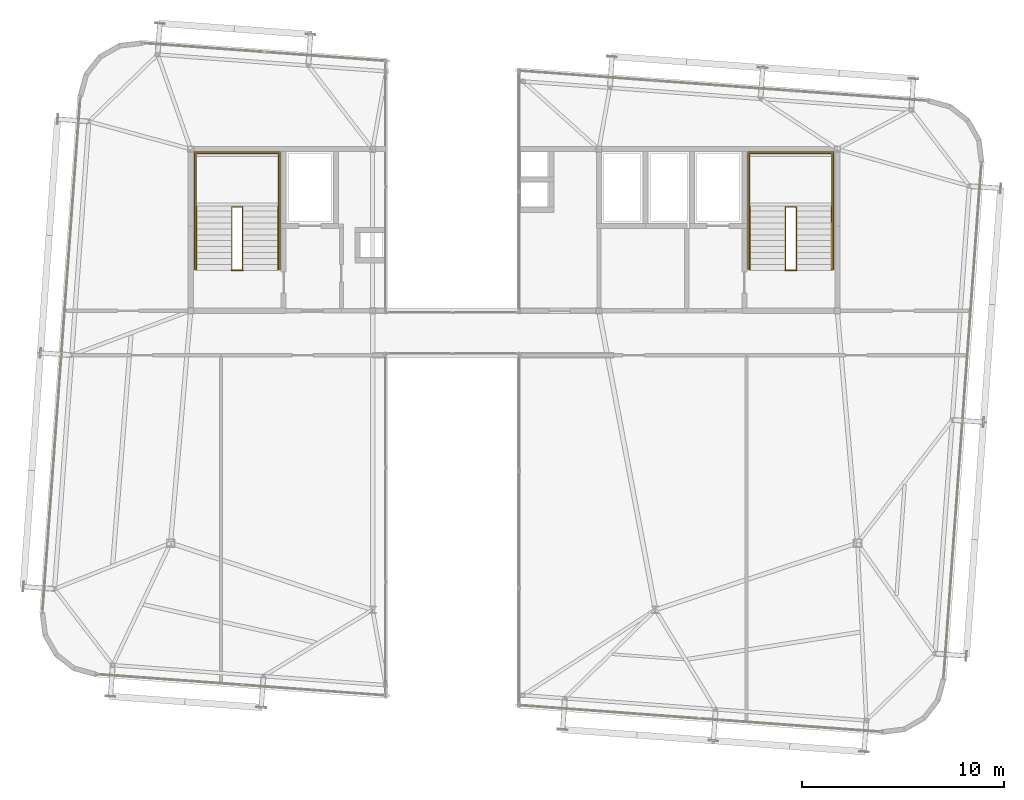
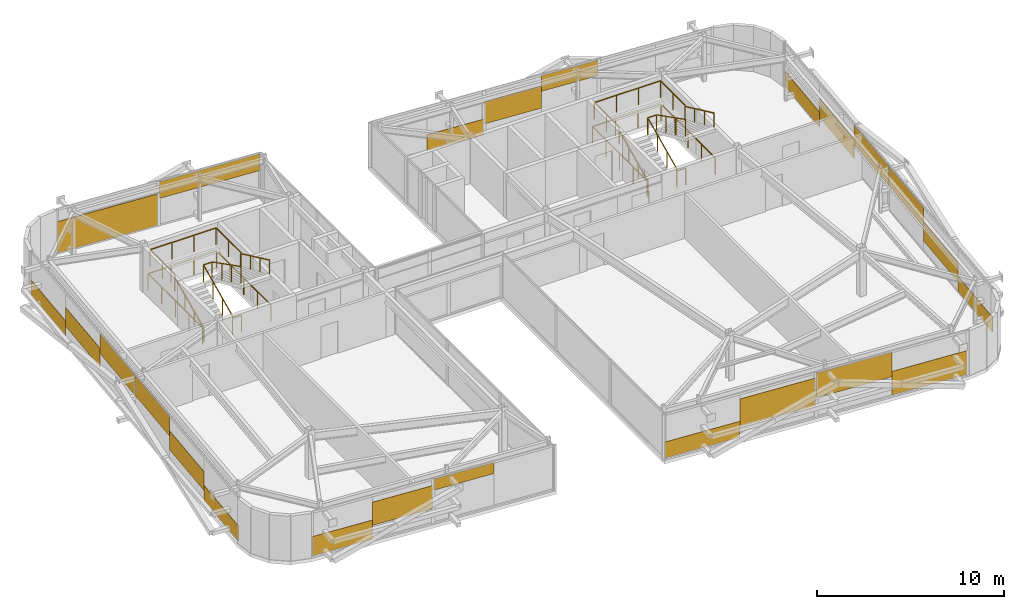
# One storey, part 38 of 39: 24 coverings, 12 railings.
"""IFC4 building model written with IfcOpenShell, lengths in metres."""

import ifcopenshell
import ifcopenshell.guid

model = None  # the IFC model being written
_history = None  # IfcOwnerHistory: only IFC2X3 demands one
_inside = {}  # id of a spatial element -> (the spatial element, [elements in it])
_under = {}  # id of a project, library or spatial element -> (it, [spatial elements below it])
_declared = {}  # id of a project -> (the project, [libraries it declares])
_typed = {}  # id of a type object -> (the type object, [elements of that type])
_made_of = {}  # id of a material, layer set ... -> (it, [elements and type objects made of it])


def new_model(schema):
    """Start an empty IFC model of exactly this schema.

    Asked for "IFC4X3", IfcOpenShell would pick the latest addendum, in which some entities
    have other attributes; the version numbers below select the first issue.
    IFC2X3 requires an IfcOwnerHistory on every rooted entity: one is made here for all.
    """
    global model, _history
    if schema == "IFC4X3":
        model = ifcopenshell.file(schema_version=(4, 3, 0, 0))
    else:
        model = ifcopenshell.file(schema=schema)
    _inside.clear()
    _under.clear()
    _declared.clear()
    _typed.clear()
    _made_of.clear()
    _history = None
    if model.schema == "IFC2X3":
        org = make("IfcOrganization", Name="unknown")
        user = make(
            "IfcPersonAndOrganization",
            ThePerson=make("IfcPerson", FamilyName="unknown"),
            TheOrganization=org,
        )
        app = make(
            "IfcApplication",
            ApplicationDeveloper=org,
            Version="unknown",
            ApplicationFullName="unknown",
            ApplicationIdentifier="unknown",
        )
        _history = make(
            "IfcOwnerHistory",
            OwningUser=user,
            OwningApplication=app,
            ChangeAction="ADDED",
            CreationDate=0,
        )
    return model


def make(cls, **values):
    """One entity of the class cls with the attributes given. An attribute that is None is left unset."""
    return model.create_entity(
        cls, **{name: value for name, value in values.items() if value is not None}
    )


def rooted(cls, **values):
    """An entity with a GlobalId (a new one), such as an element, a storey or a relation."""
    return make(cls, GlobalId=ifcopenshell.guid.new(), OwnerHistory=_history, **values)


def si_unit(unit_type, name, prefix=None):
    """IfcSIUnit, for example si_unit("LENGTHUNIT", "METRE", prefix="MILLI")."""
    return make("IfcSIUnit", UnitType=unit_type, Prefix=prefix, Name=name)


def assignment(units):
    """IfcUnitAssignment: the units of a project."""
    return None if units is None else make("IfcUnitAssignment", Units=units)


def point(xyz):
    """IfcCartesianPoint."""
    return None if xyz is None else make("IfcCartesianPoint", Coordinates=xyz)


def direction(xyz):
    """IfcDirection."""
    return None if xyz is None else make("IfcDirection", DirectionRatios=xyz)


def frame(location, z_axis=None, x_axis=None):
    """IfcAxis2Placement3D, a coordinate frame: its origin and axes. An axis left out is left unset."""
    return make(
        "IfcAxis2Placement3D",
        Location=point(location),
        Axis=direction(z_axis),
        RefDirection=direction(x_axis),
    )


def frame_2d(location, x_axis=None):
    """IfcAxis2Placement2D, a coordinate frame in the plane: its origin and x axis."""
    return make(
        "IfcAxis2Placement2D", Location=point(location), RefDirection=direction(x_axis)
    )


def origin():
    """The frame at (0, 0, 0) with its axes left unset."""
    return frame((0.0, 0.0, 0.0))


def origin_2d():
    """The frame at (0, 0) in the plane with its x axis left unset."""
    return frame_2d((0.0, 0.0))


def place(relative_to, where):
    """IfcLocalPlacement: puts the frame where relative to a parent placement (None: the world)."""
    return make(
        "IfcLocalPlacement", PlacementRelTo=relative_to, RelativePlacement=where
    )


def context(
    kind, dimensions, precision=None, world=None, true_north=None, identifier=None
):
    """IfcGeometricRepresentationContext, for example the 3D "Model" context."""
    return make(
        "IfcGeometricRepresentationContext",
        ContextIdentifier=identifier,
        ContextType=kind,
        CoordinateSpaceDimension=dimensions,
        Precision=precision,
        WorldCoordinateSystem=world,
        TrueNorth=true_north,
    )


def subcontext(parent, identifier, kind, view, scale=None):
    """IfcGeometricRepresentationSubContext, for example "Body" below "Model"."""
    return make(
        "IfcGeometricRepresentationSubContext",
        ContextIdentifier=identifier,
        ContextType=kind,
        ParentContext=parent,
        TargetScale=scale,
        TargetView=view,
    )


def project(units=None, contexts=None):
    """IfcProject with its units and contexts."""
    return rooted(
        "IfcProject",
        Name="project",
        RepresentationContexts=contexts,
        UnitsInContext=assignment(units),
    )


def spatial(cls, under=None, at=None, **own):
    """A site, building, storey or space (cls), placed at a placement, below another one or the project."""
    s = rooted(cls, ObjectPlacement=at, **own)
    if under is not None:
        _under.setdefault(under.id(), (under, []))[1].append(s)
    return s


def profile(cls, at=None, kind="AREA", **sizes):
    """A parametric profile (cls). Its sizes go by their IFC names, for example OverallWidth=200.0."""
    return make(cls, ProfileType=kind, Position=at, **sizes)


def rectangle(**sizes):
    """IfcRectangleProfileDef."""
    return profile("IfcRectangleProfileDef", **sizes)


def extrude(swept, where, along, depth):
    """IfcExtrudedAreaSolid: the profile swept, set in the frame where, extruded along a direction by depth."""
    return make(
        "IfcExtrudedAreaSolid",
        SweptArea=swept,
        Position=where,
        ExtrudedDirection=direction(along),
        Depth=depth,
    )


def shape(context_of_items, identifier, shape_type, items):
    """IfcShapeRepresentation: the items that make up one representation, for example the "Body"."""
    return make(
        "IfcShapeRepresentation",
        ContextOfItems=context_of_items,
        RepresentationIdentifier=identifier,
        RepresentationType=shape_type,
        Items=items,
    )


def source(mapping_origin, context_of_items, identifier, shape_type, items):
    """IfcRepresentationMap: a shape defined once, which mapped items show again and again."""
    return make(
        "IfcRepresentationMap",
        MappingOrigin=mapping_origin,
        MappedRepresentation=shape(context_of_items, identifier, shape_type, items),
    )


def transform(
    local_origin,
    x_axis=None,
    y_axis=None,
    z_axis=None,
    scale=None,
    scale2=None,
    scale3=None,
    uniform=True,
):
    """IfcCartesianTransformationOperator3D, or its non-uniform kind. x_axis, y_axis, z_axis: its Axis1, 2, 3."""
    if uniform:
        return make(
            "IfcCartesianTransformationOperator3D",
            Axis1=direction(x_axis),
            Axis2=direction(y_axis),
            LocalOrigin=point(local_origin),
            Scale=scale,
            Axis3=direction(z_axis),
        )
    return make(
        "IfcCartesianTransformationOperator3DnonUniform",
        Axis1=direction(x_axis),
        Axis2=direction(y_axis),
        LocalOrigin=point(local_origin),
        Scale=scale,
        Axis3=direction(z_axis),
        Scale2=scale2,
        Scale3=scale3,
    )


def mapped(mapping_source, mapping_target):
    """IfcMappedItem: shows the shape of a source again, moved by a transform."""
    return make(
        "IfcMappedItem", MappingSource=mapping_source, MappingTarget=mapping_target
    )


def material(Name=None, Category=None):
    """IfcMaterial."""
    return make("IfcMaterial", Name=Name, Category=Category)


def layer(
    of_material, thickness, ventilated=None, Name=None, Category=None, Priority=None
):
    """IfcMaterialLayer: one layer of a wall or slab, of a material (None: an air gap)."""
    return make(
        "IfcMaterialLayer",
        Material=of_material,
        LayerThickness=thickness,
        IsVentilated=ventilated,
        Name=Name,
        Category=Category,
        Priority=Priority,
    )


def layer_set(layers, Name=None):
    """IfcMaterialLayerSet."""
    return make("IfcMaterialLayerSet", MaterialLayers=layers, LayerSetName=Name)


def made_of(thing, what):
    """Note that an element or type object is made of a material, layer set ...; save() writes the relation."""
    if what is not None:
        _made_of.setdefault(what.id(), (what, []))[1].append(thing)
    return thing


def type_object(cls, material=None, **own):
    """A type object (cls), such as IfcWallType, which elements share."""
    return made_of(rooted(cls, **own), material)


def element(
    cls,
    number,
    at=None,
    inside=None,
    cuts=None,
    type_object=None,
    material=None,
    context=None,
    identifier="Body",
    shape_type=None,
    held_by="IfcProductDefinitionShape",
    body=None,
    shapes=None,
    **own,
):
    """One element of the class cls, such as IfcWall. Its Tag is "e" and its number.

    at: its placement. inside: the storey or other place that contains it. cuts: it is an
    opening in that element (IfcRelVoidsElement). A single representation is given by context,
    identifier, shape_type and body (its items); several are given by shapes. held_by: the class
    of the entity that holds the representations. save() writes the other relations.
    """
    e = rooted(cls, Tag="e%d" % number, ObjectPlacement=at, **own)
    if body is not None:
        shapes = [shape(context, identifier, shape_type, body)]
    if shapes is not None:
        e.Representation = make(held_by, Representations=shapes)
    if inside is not None:
        _inside.setdefault(inside.id(), (inside, []))[1].append(e)
    if cuts is not None:
        rooted(
            "IfcRelVoidsElement", RelatingBuildingElement=cuts, RelatedOpeningElement=e
        )
    if type_object is not None:
        _typed.setdefault(type_object.id(), (type_object, []))[1].append(e)
    return made_of(e, material)


def aggregate(whole, parts):
    """IfcRelAggregates: a whole, such as a stair, and the parts it consists of."""
    return rooted("IfcRelAggregates", RelatingObject=whole, RelatedObjects=parts)


def save(model, path):
    """Write the relations noted so far, then the file.

    IfcRelAggregates (storeys below a building ...), IfcRelContainedInSpatialStructure (elements
    in a storey), IfcRelDefinesByType, IfcRelAssociatesMaterial and IfcRelDeclares: one each for
    every whole, place, type object, material and project.
    """
    for whole, parts in _under.values():
        aggregate(whole, parts)
    for where, things in _inside.values():
        rooted(
            "IfcRelContainedInSpatialStructure",
            RelatedElements=things,
            RelatingStructure=where,
        )
    for kind, things in _typed.values():
        rooted("IfcRelDefinesByType", RelatedObjects=things, RelatingType=kind)
    for what, things in _made_of.values():
        rooted("IfcRelAssociatesMaterial", RelatedObjects=things, RelatingMaterial=what)
    for by, libraries in _declared.values():
        rooted("IfcRelDeclares", RelatingContext=by, RelatedDefinitions=libraries)
    model.write(path)


model = new_model("IFC4")

# Units and contexts
model_context = context("Model", 3, precision=1e-05, world=origin(), true_north=direction((0.0, 1.0)))
body_context = subcontext(model_context, "Body", "Model", "MODEL_VIEW")
ifc_project = project(units=[si_unit("LENGTHUNIT", "METRE"), si_unit("AREAUNIT", "SQUARE_METRE"), si_unit("VOLUMEUNIT", "CUBIC_METRE"), si_unit("PLANEANGLEUNIT", "RADIAN"), si_unit("MASSUNIT", "GRAM", prefix="KILO")], contexts=[model_context])

# Site, building, storey
site_placement = place(None, origin())
site = spatial("IfcSite", under=ifc_project, at=site_placement, CompositionType="ELEMENT")
building_placement = place(site_placement, origin())
building = spatial("IfcBuilding", under=site, at=building_placement, Name="Taldren Reach Tower", CompositionType="ELEMENT")
storey_placement = place(building_placement, frame((0.0, 0.0, 230.300048828125)))
storey = spatial("IfcBuildingStorey", under=building, at=storey_placement, Name="L70", CompositionType="ELEMENT", Elevation=230.300048828125)

# Railings
ifc_material_1 = material(Name="Steel Gr 350 (C350L0)", Category="steel")
ifc_layer_1 = layer(ifc_material_1, 0.050048828125)
ifc_layer_set_1 = layer_set([ifc_layer_1], Name="Steel Gr 350 (C350L0)")
railing_type_1 = type_object("IfcRailingType", Name="RL-STAIR-GR", PredefinedType="GUARDRAIL", material=ifc_layer_set_1)
railing_1_placement = place(storey_placement, frame((19.260009765625, 29.135009765625, 1.574951171875)))
element("IfcRailing", 1, at=railing_1_placement, inside=storey, type_object=railing_type_1, Name="Stair half-landing perimeter guard ST1-L70", PredefinedType="GUARDRAIL", context=body_context, shape_type="SweptSolid", body=[
    extrude(rectangle(XDim=0.047852, YDim=0.047852, at=origin_2d()), frame((0.0, 0.0, 1.09619140625), z_axis=(0.0, 1.0, 0.0), x_axis=(-1.0, 0.0, 0.0)), (0.0, 0.0, 1.0), 2.64501953125),
    extrude(rectangle(XDim=0.047852, YDim=0.047852, at=origin_2d()), frame((0.0, 2.64501953125, 1.09619140625), z_axis=(1.0, 0.0, 0.0), x_axis=(0.0, 1.0, 0.0)), (0.0, 0.0, 1.0), 4.080078125),
    extrude(rectangle(XDim=0.047852, YDim=0.047852, at=origin_2d()), frame((4.080078125, 2.64501953125, 1.09619140625), z_axis=(0.0, -1.0, 0.0), x_axis=(1.0, 0.0, 0.0)), (0.0, 0.0, 1.0), 2.64501953125),
    extrude(rectangle(XDim=0.041992, YDim=0.041992, at=origin_2d()), origin(), (0.0, 0.0, 1.0), 1.072021484375),
    extrude(rectangle(XDim=0.041992, YDim=0.041992, at=origin_2d()), frame((0.0, 1.322509765625, 0.0)), (0.0, 0.0, 1.0), 1.072021484375),
    extrude(rectangle(XDim=0.041992, YDim=0.041992, at=origin_2d()), frame((0.0, 2.64501953125, 0.0)), (0.0, 0.0, 1.0), 1.072021484375),
    extrude(rectangle(XDim=0.041992, YDim=0.041992, at=origin_2d()), frame((1.360107421875, 2.64501953125, 0.0)), (0.0, 0.0, 1.0), 1.072021484375),
    extrude(rectangle(XDim=0.041992, YDim=0.041992, at=origin_2d()), frame((2.719970703125, 2.64501953125, 0.0)), (0.0, 0.0, 1.0), 1.072021484375),
    extrude(rectangle(XDim=0.041992, YDim=0.041992, at=origin_2d()), frame((4.080078125, 2.64501953125, 0.0)), (0.0, 0.0, 1.0), 1.072021484375),
    extrude(rectangle(XDim=0.041992, YDim=0.041992, at=origin_2d()), frame((4.080078125, 1.322509765625, 0.0)), (0.0, 0.0, 1.0), 1.072021484375),
    extrude(rectangle(XDim=0.041992, YDim=0.041992, at=origin_2d()), frame((4.080078125, 0.0, 0.0)), (0.0, 0.0, 1.0), 1.072021484375),
])
railing_2_placement = place(storey_placement, frame((21.030029296875, 26.050048828125, 0.13134765625)))
element("IfcRailing", 2, at=railing_2_placement, inside=storey, type_object=railing_type_1, Name="Stairwell inner guard ST1-L70", PredefinedType="GUARDRAIL", context=body_context, shape_type="SweptSolid", body=[
    extrude(rectangle(XDim=0.047852, YDim=0.047852, at=origin_2d()), frame((0.0, 0.0, 1.09619140625), z_axis=(0.0, 0.905737652094, 0.423838773095), x_axis=(-1.0, 0.0, 0.0)), (0.0, 0.0, 1.0), 3.406005859375),
    extrude(rectangle(XDim=0.047852, YDim=0.047852, at=origin_2d()), frame((0.0, 3.0849609375, 2.53955078125), z_axis=(1.0, 0.0, 0.0), x_axis=(0.0, 1.0, 0.0)), (0.0, 0.0, 1.0), 0.5400390625),
    extrude(rectangle(XDim=0.047852, YDim=0.047852, at=origin_2d()), frame((0.5400390625, 3.0849609375, 2.53955078125), z_axis=(0.0, -0.890645957773, 0.45469745755), x_axis=(1.0, 0.0, 0.0)), (0.0, 0.0, 1.0), 3.463623046875),
    extrude(rectangle(XDim=0.041992, YDim=0.041992, at=origin_2d()), origin(), (0.0, 0.0, 1.0), 1.072021484375),
    extrude(rectangle(XDim=0.041992, YDim=0.041992, at=origin_2d()), frame((0.0, 1.0283203125, 0.481201171875)), (0.0, 0.0, 1.0), 1.072021484375),
    extrude(rectangle(XDim=0.041992, YDim=0.041992, at=origin_2d()), frame((0.0, 2.056640625, 0.96240234375)), (0.0, 0.0, 1.0), 1.072021484375),
    extrude(rectangle(XDim=0.041992, YDim=0.041992, at=origin_2d()), frame((0.0, 3.0849609375, 1.443603515625)), (0.0, 0.0, 1.0), 1.072021484375),
    extrude(rectangle(XDim=0.041992, YDim=0.041992, at=origin_2d()), frame((0.5400390625, 3.0849609375, 1.443603515625)), (0.0, 0.0, 1.0), 1.072021484375),
    extrude(rectangle(XDim=0.041992, YDim=0.041992, at=origin_2d()), frame((0.5400390625, 2.056640625, 1.968505859375)), (0.0, 0.0, 1.0), 1.072021484375),
    extrude(rectangle(XDim=0.041992, YDim=0.041992, at=origin_2d()), frame((0.5400390625, 1.0283203125, 2.49365234375)), (0.0, 0.0, 1.0), 1.072021484375),
    extrude(rectangle(XDim=0.041992, YDim=0.041992, at=origin_2d()), frame((0.5400390625, 0.0, 3.0185546875)), (0.0, 0.0, 1.0), 1.072021484375),
])
railing_3_placement = place(storey_placement, frame((21.030029296875, 26.010009765625, 0.0)))
element("IfcRailing", 3, at=railing_3_placement, inside=storey, type_object=railing_type_1, Name="Stairwell landing slot guard ST1-L70", PredefinedType="GUARDRAIL", context=body_context, shape_type="SweptSolid", body=[
    extrude(rectangle(XDim=0.047852, YDim=0.047852, at=origin_2d()), frame((0.0, 0.0, 1.09619140625), z_axis=(1.0, 0.0, 0.0), x_axis=(0.0, 1.0, 0.0)), (0.0, 0.0, 1.0), 0.5400390625),
    extrude(rectangle(XDim=0.041992, YDim=0.041992, at=origin_2d()), origin(), (0.0, 0.0, 1.0), 1.072021484375),
    extrude(rectangle(XDim=0.041992, YDim=0.041992, at=origin_2d()), frame((0.5400390625, 0.0, 0.0)), (0.0, 0.0, 1.0), 1.072021484375),
])
railing_4_placement = place(storey_placement, frame((19.18994140625, 26.050048828125, 0.0)))
element("IfcRailing", 4, at=railing_4_placement, inside=storey, type_object=railing_type_1, Name="Stairwell floor opening guard ST1-L70", PredefinedType="GUARDRAIL", context=body_context, shape_type="SweptSolid", body=[
    extrude(rectangle(XDim=0.047852, YDim=0.047852, at=origin_2d()), frame((0.0, 0.0, 1.09619140625), z_axis=(0.0, 1.0, 0.0), x_axis=(-1.0, 0.0, 0.0)), (0.0, 0.0, 1.0), 5.800048828125),
    extrude(rectangle(XDim=0.047852, YDim=0.047852, at=origin_2d()), frame((0.0, 5.800048828125, 1.09619140625), z_axis=(1.0, 0.0, 0.0), x_axis=(0.0, 1.0, 0.0)), (0.0, 0.0, 1.0), 4.219970703125),
    extrude(rectangle(XDim=0.047852, YDim=0.047852, at=origin_2d()), frame((4.219970703125, 5.800048828125, 1.09619140625), z_axis=(0.0, -1.0, 0.0), x_axis=(1.0, 0.0, 0.0)), (0.0, 0.0, 1.0), 5.800048828125),
    extrude(rectangle(XDim=0.041992, YDim=0.041992, at=origin_2d()), origin(), (0.0, 0.0, 1.0), 1.072021484375),
    extrude(rectangle(XDim=0.041992, YDim=0.041992, at=origin_2d()), frame((0.0, 1.449951171875, 0.0)), (0.0, 0.0, 1.0), 1.072021484375),
    extrude(rectangle(XDim=0.041992, YDim=0.041992, at=origin_2d()), frame((0.0, 2.89990234375, 0.0)), (0.0, 0.0, 1.0), 1.072021484375),
    extrude(rectangle(XDim=0.041992, YDim=0.041992, at=origin_2d()), frame((0.0, 4.35009765625, 0.0)), (0.0, 0.0, 1.0), 1.072021484375),
    extrude(rectangle(XDim=0.041992, YDim=0.041992, at=origin_2d()), frame((0.0, 5.800048828125, 0.0)), (0.0, 0.0, 1.0), 1.072021484375),
    extrude(rectangle(XDim=0.041992, YDim=0.041992, at=origin_2d()), frame((1.40673828125, 5.800048828125, 0.0)), (0.0, 0.0, 1.0), 1.072021484375),
    extrude(rectangle(XDim=0.041992, YDim=0.041992, at=origin_2d()), frame((2.813232421875, 5.800048828125, 0.0)), (0.0, 0.0, 1.0), 1.072021484375),
    extrude(rectangle(XDim=0.041992, YDim=0.041992, at=origin_2d()), frame((4.219970703125, 5.800048828125, 0.0)), (0.0, 0.0, 1.0), 1.072021484375),
    extrude(rectangle(XDim=0.041992, YDim=0.041992, at=origin_2d()), frame((4.219970703125, 4.35009765625, 0.0)), (0.0, 0.0, 1.0), 1.072021484375),
    extrude(rectangle(XDim=0.041992, YDim=0.041992, at=origin_2d()), frame((4.219970703125, 2.89990234375, 0.0)), (0.0, 0.0, 1.0), 1.072021484375),
    extrude(rectangle(XDim=0.041992, YDim=0.041992, at=origin_2d()), frame((4.219970703125, 1.449951171875, 0.0)), (0.0, 0.0, 1.0), 1.072021484375),
    extrude(rectangle(XDim=0.041992, YDim=0.041992, at=origin_2d()), frame((4.219970703125, 0.0, 0.0)), (0.0, 0.0, 1.0), 1.072021484375),
])
railing_5_placement = place(storey_placement, frame((46.659912109375, 29.135009765625, 1.574951171875)))
element("IfcRailing", 5, at=railing_5_placement, inside=storey, type_object=railing_type_1, Name="Stair half-landing perimeter guard ST2-L70", PredefinedType="GUARDRAIL", context=body_context, shape_type="SweptSolid", body=[
    extrude(rectangle(XDim=0.047852, YDim=0.047852, at=origin_2d()), frame((0.0, 0.0, 1.09619140625), z_axis=(0.0, 1.0, 0.0), x_axis=(-1.0, 0.0, 0.0)), (0.0, 0.0, 1.0), 2.64501953125),
    extrude(rectangle(XDim=0.047852, YDim=0.047852, at=origin_2d()), frame((0.0, 2.64501953125, 1.09619140625), z_axis=(1.0, 0.0, 0.0), x_axis=(0.0, 1.0, 0.0)), (0.0, 0.0, 1.0), 4.080078125),
    extrude(rectangle(XDim=0.047852, YDim=0.047852, at=origin_2d()), frame((4.080078125, 2.64501953125, 1.09619140625), z_axis=(0.0, -1.0, 0.0), x_axis=(1.0, 0.0, 0.0)), (0.0, 0.0, 1.0), 2.64501953125),
    extrude(rectangle(XDim=0.041992, YDim=0.041992, at=origin_2d()), origin(), (0.0, 0.0, 1.0), 1.072021484375),
    extrude(rectangle(XDim=0.041992, YDim=0.041992, at=origin_2d()), frame((0.0, 1.322509765625, 0.0)), (0.0, 0.0, 1.0), 1.072021484375),
    extrude(rectangle(XDim=0.041992, YDim=0.041992, at=origin_2d()), frame((0.0, 2.64501953125, 0.0)), (0.0, 0.0, 1.0), 1.072021484375),
    extrude(rectangle(XDim=0.041992, YDim=0.041992, at=origin_2d()), frame((1.360107421875, 2.64501953125, 0.0)), (0.0, 0.0, 1.0), 1.072021484375),
    extrude(rectangle(XDim=0.041992, YDim=0.041992, at=origin_2d()), frame((2.719970703125, 2.64501953125, 0.0)), (0.0, 0.0, 1.0), 1.072021484375),
    extrude(rectangle(XDim=0.041992, YDim=0.041992, at=origin_2d()), frame((4.080078125, 2.64501953125, 0.0)), (0.0, 0.0, 1.0), 1.072021484375),
    extrude(rectangle(XDim=0.041992, YDim=0.041992, at=origin_2d()), frame((4.080078125, 1.322509765625, 0.0)), (0.0, 0.0, 1.0), 1.072021484375),
    extrude(rectangle(XDim=0.041992, YDim=0.041992, at=origin_2d()), frame((4.080078125, 0.0, 0.0)), (0.0, 0.0, 1.0), 1.072021484375),
])
railing_6_placement = place(storey_placement, frame((48.429931640625, 26.050048828125, 0.13134765625)))
element("IfcRailing", 6, at=railing_6_placement, inside=storey, type_object=railing_type_1, Name="Stairwell inner guard ST2-L70", PredefinedType="GUARDRAIL", context=body_context, shape_type="SweptSolid", body=[
    extrude(rectangle(XDim=0.047852, YDim=0.047852, at=origin_2d()), frame((0.0, 0.0, 1.09619140625), z_axis=(0.0, 0.905737652094, 0.423838773095), x_axis=(-1.0, 0.0, 0.0)), (0.0, 0.0, 1.0), 3.406005859375),
    extrude(rectangle(XDim=0.047852, YDim=0.047852, at=origin_2d()), frame((0.0, 3.0849609375, 2.53955078125), z_axis=(1.0, 0.0, 0.0), x_axis=(0.0, 1.0, 0.0)), (0.0, 0.0, 1.0), 0.5400390625),
    extrude(rectangle(XDim=0.047852, YDim=0.047852, at=origin_2d()), frame((0.5400390625, 3.0849609375, 2.53955078125), z_axis=(0.0, -0.890645957773, 0.45469745755), x_axis=(1.0, 0.0, 0.0)), (0.0, 0.0, 1.0), 3.463623046875),
    extrude(rectangle(XDim=0.041992, YDim=0.041992, at=origin_2d()), origin(), (0.0, 0.0, 1.0), 1.072021484375),
    extrude(rectangle(XDim=0.041992, YDim=0.041992, at=origin_2d()), frame((0.0, 1.0283203125, 0.481201171875)), (0.0, 0.0, 1.0), 1.072021484375),
    extrude(rectangle(XDim=0.041992, YDim=0.041992, at=origin_2d()), frame((0.0, 2.056640625, 0.96240234375)), (0.0, 0.0, 1.0), 1.072021484375),
    extrude(rectangle(XDim=0.041992, YDim=0.041992, at=origin_2d()), frame((0.0, 3.0849609375, 1.443603515625)), (0.0, 0.0, 1.0), 1.072021484375),
    extrude(rectangle(XDim=0.041992, YDim=0.041992, at=origin_2d()), frame((0.5400390625, 3.0849609375, 1.443603515625)), (0.0, 0.0, 1.0), 1.072021484375),
    extrude(rectangle(XDim=0.041992, YDim=0.041992, at=origin_2d()), frame((0.5400390625, 2.056640625, 1.968505859375)), (0.0, 0.0, 1.0), 1.072021484375),
    extrude(rectangle(XDim=0.041992, YDim=0.041992, at=origin_2d()), frame((0.5400390625, 1.0283203125, 2.49365234375)), (0.0, 0.0, 1.0), 1.072021484375),
    extrude(rectangle(XDim=0.041992, YDim=0.041992, at=origin_2d()), frame((0.5400390625, 0.0, 3.0185546875)), (0.0, 0.0, 1.0), 1.072021484375),
])
railing_7_placement = place(storey_placement, frame((48.429931640625, 26.010009765625, 0.0)))
element("IfcRailing", 7, at=railing_7_placement, inside=storey, type_object=railing_type_1, Name="Stairwell landing slot guard ST2-L70", PredefinedType="GUARDRAIL", context=body_context, shape_type="SweptSolid", body=[
    extrude(rectangle(XDim=0.047852, YDim=0.047852, at=origin_2d()), frame((0.0, 0.0, 1.09619140625), z_axis=(1.0, 0.0, 0.0), x_axis=(0.0, 1.0, 0.0)), (0.0, 0.0, 1.0), 0.5400390625),
    extrude(rectangle(XDim=0.041992, YDim=0.041992, at=origin_2d()), origin(), (0.0, 0.0, 1.0), 1.072021484375),
    extrude(rectangle(XDim=0.041992, YDim=0.041992, at=origin_2d()), frame((0.5400390625, 0.0, 0.0)), (0.0, 0.0, 1.0), 1.072021484375),
])
railing_8_placement = place(storey_placement, frame((46.590087890625, 26.050048828125, 0.0)))
element("IfcRailing", 8, at=railing_8_placement, inside=storey, type_object=railing_type_1, Name="Stairwell floor opening guard ST2-L70", PredefinedType="GUARDRAIL", context=body_context, shape_type="SweptSolid", body=[
    extrude(rectangle(XDim=0.047852, YDim=0.047852, at=origin_2d()), frame((0.0, 0.0, 1.09619140625), z_axis=(0.0, 1.0, 0.0), x_axis=(-1.0, 0.0, 0.0)), (0.0, 0.0, 1.0), 5.800048828125),
    extrude(rectangle(XDim=0.047852, YDim=0.047852, at=origin_2d()), frame((0.0, 5.800048828125, 1.09619140625), z_axis=(1.0, 0.0, 0.0), x_axis=(0.0, 1.0, 0.0)), (0.0, 0.0, 1.0), 4.219970703125),
    extrude(rectangle(XDim=0.047852, YDim=0.047852, at=origin_2d()), frame((4.219970703125, 5.800048828125, 1.09619140625), z_axis=(0.0, -1.0, 0.0), x_axis=(1.0, 0.0, 0.0)), (0.0, 0.0, 1.0), 5.800048828125),
    extrude(rectangle(XDim=0.041992, YDim=0.041992, at=origin_2d()), origin(), (0.0, 0.0, 1.0), 1.072021484375),
    extrude(rectangle(XDim=0.041992, YDim=0.041992, at=origin_2d()), frame((0.0, 1.449951171875, 0.0)), (0.0, 0.0, 1.0), 1.072021484375),
    extrude(rectangle(XDim=0.041992, YDim=0.041992, at=origin_2d()), frame((0.0, 2.89990234375, 0.0)), (0.0, 0.0, 1.0), 1.072021484375),
    extrude(rectangle(XDim=0.041992, YDim=0.041992, at=origin_2d()), frame((0.0, 4.35009765625, 0.0)), (0.0, 0.0, 1.0), 1.072021484375),
    extrude(rectangle(XDim=0.041992, YDim=0.041992, at=origin_2d()), frame((0.0, 5.800048828125, 0.0)), (0.0, 0.0, 1.0), 1.072021484375),
    extrude(rectangle(XDim=0.041992, YDim=0.041992, at=origin_2d()), frame((1.40673828125, 5.800048828125, 0.0)), (0.0, 0.0, 1.0), 1.072021484375),
    extrude(rectangle(XDim=0.041992, YDim=0.041992, at=origin_2d()), frame((2.813232421875, 5.800048828125, 0.0)), (0.0, 0.0, 1.0), 1.072021484375),
    extrude(rectangle(XDim=0.041992, YDim=0.041992, at=origin_2d()), frame((4.219970703125, 5.800048828125, 0.0)), (0.0, 0.0, 1.0), 1.072021484375),
    extrude(rectangle(XDim=0.041992, YDim=0.041992, at=origin_2d()), frame((4.219970703125, 4.35009765625, 0.0)), (0.0, 0.0, 1.0), 1.072021484375),
    extrude(rectangle(XDim=0.041992, YDim=0.041992, at=origin_2d()), frame((4.219970703125, 2.89990234375, 0.0)), (0.0, 0.0, 1.0), 1.072021484375),
    extrude(rectangle(XDim=0.041992, YDim=0.041992, at=origin_2d()), frame((4.219970703125, 1.449951171875, 0.0)), (0.0, 0.0, 1.0), 1.072021484375),
    extrude(rectangle(XDim=0.041992, YDim=0.041992, at=origin_2d()), frame((4.219970703125, 0.0, 0.0)), (0.0, 0.0, 1.0), 1.072021484375),
])
ifc_material_2 = material(Name="Stainless Steel Gr 316", Category="steel")
ifc_layer_2 = layer(ifc_material_2, 0.048095703125)
ifc_layer_set_2 = layer_set([ifc_layer_2], Name="Stainless Steel Gr 316")
railing_type_2 = type_object("IfcRailingType", Name="RL-STAIR-HR", PredefinedType="HANDRAIL", material=ifc_layer_set_2)
railing_9_placement = place(storey_placement, frame((19.27001953125, 26.050048828125, 0.13134765625)))
element("IfcRailing", 9, at=railing_9_placement, inside=storey, type_object=railing_type_2, Name="Stair flight handrail ST1-L70-1", PredefinedType="HANDRAIL", context=body_context, shape_type="SweptSolid", body=[
    extrude(rectangle(XDim=0.047852, YDim=0.047852, at=origin_2d()), frame((0.0, 0.0, 0.89599609375), z_axis=(0.0, 0.905737652094, 0.423838773095), x_axis=(-1.0, 0.0, 0.0)), (0.0, 0.0, 1.0), 3.406005859375),
    extrude(rectangle(XDim=0.041992, YDim=0.041992, at=origin_2d()), origin(), (0.0, 0.0, 1.0), 0.871826171875),
    extrude(rectangle(XDim=0.041992, YDim=0.041992, at=origin_2d()), frame((0.0, 1.0283203125, 0.481201171875)), (0.0, 0.0, 1.0), 0.871826171875),
    extrude(rectangle(XDim=0.041992, YDim=0.041992, at=origin_2d()), frame((0.0, 2.056640625, 0.96240234375)), (0.0, 0.0, 1.0), 0.871826171875),
    extrude(rectangle(XDim=0.041992, YDim=0.041992, at=origin_2d()), frame((0.0, 3.0849609375, 1.443603515625)), (0.0, 0.0, 1.0), 0.871826171875),
])
railing_10_placement = place(storey_placement, frame((23.330078125, 29.135009765625, 1.7060546875)))
element("IfcRailing", 10, at=railing_10_placement, inside=storey, type_object=railing_type_2, Name="Stair flight handrail ST1-L70-2", PredefinedType="HANDRAIL", context=body_context, shape_type="SweptSolid", body=[
    extrude(rectangle(XDim=0.047852, YDim=0.047852, at=origin_2d()), frame((0.0, 0.0, 0.89599609375), z_axis=(0.0, -0.905710134349, 0.423897573167), x_axis=(1.0, 0.0, 0.0)), (0.0, 0.0, 1.0), 3.406005859375),
    extrude(rectangle(XDim=0.041992, YDim=0.041992, at=origin_2d()), origin(), (0.0, 0.0, 1.0), 0.871826171875),
    extrude(rectangle(XDim=0.041992, YDim=0.041992, at=origin_2d()), frame((0.0, -1.0283203125, 0.481201171875)), (0.0, 0.0, 1.0), 0.871826171875),
    extrude(rectangle(XDim=0.041992, YDim=0.041992, at=origin_2d()), frame((0.0, -2.056640625, 0.962646484375)), (0.0, 0.0, 1.0), 0.871826171875),
    extrude(rectangle(XDim=0.041992, YDim=0.041992, at=origin_2d()), frame((0.0, -3.0849609375, 1.44384765625)), (0.0, 0.0, 1.0), 0.871826171875),
])
railing_11_placement = place(storey_placement, frame((46.669921875, 26.050048828125, 0.13134765625)))
element("IfcRailing", 11, at=railing_11_placement, inside=storey, type_object=railing_type_2, Name="Stair flight handrail ST2-L70-1", PredefinedType="HANDRAIL", context=body_context, shape_type="SweptSolid", body=[
    extrude(rectangle(XDim=0.047852, YDim=0.047852, at=origin_2d()), frame((0.0, 0.0, 0.89599609375), z_axis=(0.0, 0.905737652094, 0.423838773095), x_axis=(-1.0, 0.0, 0.0)), (0.0, 0.0, 1.0), 3.406005859375),
    extrude(rectangle(XDim=0.041992, YDim=0.041992, at=origin_2d()), origin(), (0.0, 0.0, 1.0), 0.871826171875),
    extrude(rectangle(XDim=0.041992, YDim=0.041992, at=origin_2d()), frame((0.0, 1.0283203125, 0.481201171875)), (0.0, 0.0, 1.0), 0.871826171875),
    extrude(rectangle(XDim=0.041992, YDim=0.041992, at=origin_2d()), frame((0.0, 2.056640625, 0.96240234375)), (0.0, 0.0, 1.0), 0.871826171875),
    extrude(rectangle(XDim=0.041992, YDim=0.041992, at=origin_2d()), frame((0.0, 3.0849609375, 1.443603515625)), (0.0, 0.0, 1.0), 0.871826171875),
])
railing_12_placement = place(storey_placement, frame((50.72998046875, 29.135009765625, 1.7060546875)))
element("IfcRailing", 12, at=railing_12_placement, inside=storey, type_object=railing_type_2, Name="Stair flight handrail ST2-L70-2", PredefinedType="HANDRAIL", context=body_context, shape_type="SweptSolid", body=[
    extrude(rectangle(XDim=0.047852, YDim=0.047852, at=origin_2d()), frame((0.0, 0.0, 0.89599609375), z_axis=(0.0, -0.905710134349, 0.423897573167), x_axis=(1.0, 0.0, 0.0)), (0.0, 0.0, 1.0), 3.406005859375),
    extrude(rectangle(XDim=0.041992, YDim=0.041992, at=origin_2d()), origin(), (0.0, 0.0, 1.0), 0.871826171875),
    extrude(rectangle(XDim=0.041992, YDim=0.041992, at=origin_2d()), frame((0.0, -1.0283203125, 0.481201171875)), (0.0, 0.0, 1.0), 0.871826171875),
    extrude(rectangle(XDim=0.041992, YDim=0.041992, at=origin_2d()), frame((0.0, -2.056640625, 0.962646484375)), (0.0, 0.0, 1.0), 0.871826171875),
    extrude(rectangle(XDim=0.041992, YDim=0.041992, at=origin_2d()), frame((0.0, -3.0849609375, 1.44384765625)), (0.0, 0.0, 1.0), 0.871826171875),
])

# Coverings
ifc_material_3 = material(Name="Pale Champagne Fluoropolymer Aluminium Spandrel Cladding", Category="aluminium")
ifc_layer_3 = layer(ifc_material_3, 0.0439453125)
ifc_layer_set_3 = layer_set([ifc_layer_3], Name="Pale Champagne Fluoropolymer Aluminium Spandrel Cladding")
covering_type = type_object("IfcCoveringType", Name="CV-CLAD-044", PredefinedType="CLADDING", material=ifc_layer_set_3)
shared_shape_1 = source(origin(), body_context, "Body", "SweptSolid", [
    extrude(rectangle(XDim=4.229248046875, YDim=0.0439453125, at=origin_2d()), origin(), (0.0, 0.0, 1.0), 0.981201171875),
])
for number, where, z_axis, x_axis, name in (
    (13, (13.377197265625, 32.41943359375, 0.06005859375), (0.0, 0.0, 1.0), (-0.073238282558, -0.997314470951, 0.0), "Diagrid closure cladding strip CW-7 panel 1.1 1"),
    (14, (11.822998046875, 11.255615234375, 0.06005859375), (0.0, 0.0, 1.0), (-0.073238282558, -0.997314470951, 0.0), "Diagrid closure cladding strip CW-7 panel 2.1 3"),
    (15, (56.4228515625, 7.98046875, 0.06005859375), (0.0, 0.0, 1.0), (0.073238282558, 0.997314470951, 0.0), "Diagrid closure cladding strip CW-7 panel 1.1 1"),
    (16, (57.97705078125, 29.144287109375, 0.06005859375), (0.0, 0.0, 1.0), (0.073238282558, 0.997314470951, 0.0), "Diagrid closure cladding strip CW-7 panel 2.1 3"),
):
    element("IfcCovering", number, at=place(storey_placement, frame(where, z_axis=z_axis, x_axis=x_axis)), inside=storey, type_object=covering_type, Name=name, PredefinedType="CLADDING", context=body_context, shape_type="MappedRepresentation", body=[
        mapped(shared_shape_1, transform((0.0, 0.0, 0.0), scale=1.0)),
    ])
shared_shape_2 = source(origin(), body_context, "Body", "SweptSolid", [
    extrude(rectangle(XDim=4.229248046875, YDim=0.0439453125, at=origin_2d()), origin(), (0.0, 0.0, 1.0), 1.22802734375),
])
for number, where, z_axis, x_axis, name in (
    (17, (13.0673828125, 28.20166015625, 0.69921875), (0.0, 0.0, 1.0), (-0.073238282558, -0.997314470951, 0.0), "Diagrid closure cladding strip CW-7 panel 1.1 2"),
    (18, (12.1328125, 15.473388671875, 0.69921875), (0.0, 0.0, 1.0), (-0.073238282558, -0.997314470951, 0.0), "Diagrid closure cladding strip CW-7 panel 2.1 2"),
    (19, (56.732666015625, 12.1982421875, 0.69921875), (0.0, 0.0, 1.0), (0.073238282558, 0.997314470951, 0.0), "Diagrid closure cladding strip CW-7 panel 1.1 2"),
    (20, (57.667236328125, 24.926513671875, 0.69921875), (0.0, 0.0, 1.0), (0.073238282558, 0.997314470951, 0.0), "Diagrid closure cladding strip CW-7 panel 2.1 2"),
):
    element("IfcCovering", number, at=place(storey_placement, frame(where, z_axis=z_axis, x_axis=x_axis)), inside=storey, type_object=covering_type, Name=name, PredefinedType="CLADDING", context=body_context, shape_type="MappedRepresentation", body=[
        mapped(shared_shape_2, transform((0.0, 0.0, 0.0), scale=1.0)),
    ])
shared_shape_3 = source(origin(), body_context, "Body", "SweptSolid", [
    extrude(rectangle(XDim=4.229248046875, YDim=0.0439453125, at=origin_2d()), origin(), (0.0, 0.0, 1.0), 1.284912109375),
])
for number, where, z_axis, x_axis, name in (
    (21, (12.757568359375, 23.98388671875, 1.5849609375), (0.0, 0.0, 1.0), (-0.073238282558, -0.997314470951, 0.0), "Diagrid closure cladding strip CW-7 panel 1.1 3"),
    (22, (12.4423828125, 19.69140625, 1.5849609375), (0.0, 0.0, 1.0), (-0.073238282558, -0.997314470951, 0.0), "Diagrid closure cladding strip CW-7 panel 2.1 1"),
    (23, (57.042236328125, 16.416015625, 1.5849609375), (0.0, 0.0, 1.0), (0.073238282558, 0.997314470951, 0.0), "Diagrid closure cladding strip CW-7 panel 1.1 3"),
    (24, (57.357666015625, 20.708740234375, 1.5849609375), (0.0, 0.0, 1.0), (0.073238282558, 0.997314470951, 0.0), "Diagrid closure cladding strip CW-7 panel 2.1 1"),
):
    element("IfcCovering", number, at=place(storey_placement, frame(where, z_axis=z_axis, x_axis=x_axis)), inside=storey, type_object=covering_type, Name=name, PredefinedType="CLADDING", context=body_context, shape_type="MappedRepresentation", body=[
        mapped(shared_shape_3, transform((0.0, 0.0, 0.0), scale=1.0)),
    ])
shared_shape_4 = source(origin(), body_context, "Body", "SweptSolid", [
    extrude(rectangle(XDim=3.564697265625, YDim=0.0439453125, at=origin_2d()), origin(), (0.0, 0.0, 1.0), 1.509765625),
])
covering_1_placement = place(storey_placement, frame((19.712890625, 5.613037109375, 0.966552734375), z_axis=(0.0, 0.0, 1.0), x_axis=(0.997314480811, -0.073238148285, 0.0)))
element("IfcCovering", 25, at=covering_1_placement, inside=storey, type_object=covering_type, Name="Diagrid closure cladding strip CW-7 panel 1.1 2", PredefinedType="CLADDING", context=body_context, shape_type="MappedRepresentation", body=[
    mapped(shared_shape_4, transform((0.0, 0.0, 0.0), scale=1.0)),
])
shared_shape_5 = source(origin(), body_context, "Body", "SweptSolid", [
    extrude(rectangle(XDim=4.468505859375, YDim=0.0439453125, at=origin_2d()), origin(), (0.0, 0.0, 1.0), 1.803466796875),
])
covering_2_placement = place(storey_placement, frame((41.90966796875, 3.983154296875, 0.76025390625), z_axis=(0.0, 0.0, 1.0), x_axis=(0.997314485363, -0.073238086301, 0.0)))
element("IfcCovering", 26, at=covering_2_placement, inside=storey, type_object=covering_type, Name="Diagrid closure cladding strip CW-7 panel 1.1 2", PredefinedType="CLADDING", context=body_context, shape_type="MappedRepresentation", body=[
    mapped(shared_shape_5, transform((0.0, 0.0, 0.0), scale=1.0)),
])
shared_shape_6 = source(origin(), body_context, "Body", "SweptSolid", [
    extrude(rectangle(XDim=3.3623046875, YDim=0.0439453125, at=origin_2d()), origin(), (0.0, 0.0, 1.0), 1.444091796875),
])
covering_3_placement = place(storey_placement, frame((43.6455078125, 35.260009765625, 0.75830078125), z_axis=(0.0, 0.0, 1.0), x_axis=(-0.997314475893, 0.073238215265, 0.0)))
element("IfcCovering", 27, at=covering_3_placement, inside=storey, type_object=covering_type, Name="Diagrid closure cladding strip CW-7 panel 2.1 2", PredefinedType="CLADDING", context=body_context, shape_type="MappedRepresentation", body=[
    mapped(shared_shape_6, transform((0.0, 0.0, 0.0), scale=1.0)),
])
shared_shape_7 = source(origin(), body_context, "Body", "SweptSolid", [
    extrude(rectangle(XDim=3.564697265625, YDim=0.0439453125, at=origin_2d()), origin(), (0.0, 0.0, 1.0), 1.25830078125),
])
covering_4_placement = place(storey_placement, frame((16.15771484375, 5.874267578125, 0.06005859375), z_axis=(0.0, 0.0, 1.0), x_axis=(0.997314480811, -0.073238148285, 0.0)))
element("IfcCovering", 28, at=covering_4_placement, inside=storey, type_object=covering_type, Name="Diagrid closure cladding strip CW-7 panel 1.1 1", PredefinedType="CLADDING", context=body_context, shape_type="MappedRepresentation", body=[
    mapped(shared_shape_7, transform((0.0, 0.0, 0.0), scale=1.0)),
])
shared_shape_8 = source(origin(), body_context, "Body", "SweptSolid", [
    extrude(rectangle(XDim=3.564697265625, YDim=0.0439453125, at=origin_2d()), origin(), (0.0, 0.0, 1.0), 0.720947265625),
])
covering_5_placement = place(storey_placement, frame((23.342529296875, 5.346435546875, 2.14892578125), z_axis=(0.0, 0.0, 1.0), x_axis=(0.997314480811, -0.073238148285, 0.0)))
element("IfcCovering", 29, at=covering_5_placement, inside=storey, type_object=covering_type, Name="Diagrid closure cladding strip CW-7 panel 2.1 1", PredefinedType="CLADDING", context=body_context, shape_type="MappedRepresentation", body=[
    mapped(shared_shape_8, transform((0.0, 0.0, 0.0), scale=1.0)),
])
shared_shape_9 = source(origin(), body_context, "Body", "SweptSolid", [
    extrude(rectangle(XDim=4.468505859375, YDim=0.0439453125, at=origin_2d()), origin(), (0.0, 0.0, 1.0), 1.052001953125),
])
covering_6_placement = place(storey_placement, frame((37.453125, 4.310302734375, 0.06005859375), z_axis=(0.0, 0.0, 1.0), x_axis=(0.997314485363, -0.073238086301, 0.0)))
element("IfcCovering", 30, at=covering_6_placement, inside=storey, type_object=covering_type, Name="Diagrid closure cladding strip CW-7 panel 1.1 1", PredefinedType="CLADDING", context=body_context, shape_type="MappedRepresentation", body=[
    mapped(shared_shape_9, transform((0.0, 0.0, 0.0), scale=1.0)),
])
shared_shape_10 = source(origin(), body_context, "Body", "SweptSolid", [
    extrude(rectangle(XDim=4.468505859375, YDim=0.0439453125, at=origin_2d()), origin(), (0.0, 0.0, 1.0), 1.609619140625),
])
covering_7_placement = place(storey_placement, frame((46.441162109375, 3.650390625, 1.26025390625), z_axis=(0.0, 0.0, 1.0), x_axis=(0.997314485363, -0.073238086301, 0.0)))
element("IfcCovering", 31, at=covering_7_placement, inside=storey, type_object=covering_type, Name="Diagrid closure cladding strip CW-7 panel 2.1 1", PredefinedType="CLADDING", context=body_context, shape_type="MappedRepresentation", body=[
    mapped(shared_shape_10, transform((0.0, 0.0, 0.0), scale=1.0)),
])
shared_shape_11 = source(origin(), body_context, "Body", "SweptSolid", [
    extrude(rectangle(XDim=4.468505859375, YDim=0.0439453125, at=origin_2d()), origin(), (0.0, 0.0, 1.0), 1.552001953125),
])
covering_8_placement = place(storey_placement, frame((50.897705078125, 3.322998046875, 0.06005859375), z_axis=(0.0, 0.0, 1.0), x_axis=(0.997314485363, -0.073238086301, 0.0)))
element("IfcCovering", 32, at=covering_8_placement, inside=storey, type_object=covering_type, Name="Diagrid closure cladding strip CW-7 panel 2.1 2", PredefinedType="CLADDING", context=body_context, shape_type="MappedRepresentation", body=[
    mapped(shared_shape_11, transform((0.0, 0.0, 0.0), scale=1.0)),
])
shared_shape_12 = source(origin(), body_context, "Body", "SweptSolid", [
    extrude(rectangle(XDim=3.3623046875, YDim=0.0439453125, at=origin_2d()), origin(), (0.0, 0.0, 1.0), 1.01953125),
])
covering_9_placement = place(storey_placement, frame((46.9990234375, 35.013671875, 1.850341796875), z_axis=(0.0, 0.0, 1.0), x_axis=(-0.997314475893, 0.073238215265, 0.0)))
element("IfcCovering", 33, at=covering_9_placement, inside=storey, type_object=covering_type, Name="Diagrid closure cladding strip CW-7 panel 2.1 1", PredefinedType="CLADDING", context=body_context, shape_type="MappedRepresentation", body=[
    mapped(shared_shape_12, transform((0.0, 0.0, 0.0), scale=1.0)),
])
shared_shape_13 = source(origin(), body_context, "Body", "SweptSolid", [
    extrude(rectangle(XDim=3.34375, YDim=0.0439453125, at=origin_2d()), origin(), (0.0, 0.0, 1.0), 1.025634765625),
])
covering_10_placement = place(storey_placement, frame((40.226806640625, 35.510986328125, 0.06005859375), z_axis=(0.0, 0.0, 1.0), x_axis=(-0.997314475893, 0.073238215265, 0.0)))
element("IfcCovering", 34, at=covering_10_placement, inside=storey, type_object=covering_type, Name="Diagrid closure cladding strip CW-7 panel 3.1 1", PredefinedType="CLADDING", context=body_context, shape_type="MappedRepresentation", body=[
    mapped(shared_shape_13, transform((0.0, 0.0, 0.0), scale=1.0)),
])
shared_shape_14 = source(origin(), body_context, "Body", "SweptSolid", [
    extrude(rectangle(XDim=5.979248046875, YDim=0.0439453125, at=origin_2d()), origin(), (0.0, 0.0, 1.0), 1.094482421875),
])
covering_11_placement = place(storey_placement, frame((25.693603515625, 36.578125, 1.775390625), z_axis=(0.0, 0.0, 1.0), x_axis=(-0.99731449581, 0.073237944038, 0.0)))
element("IfcCovering", 35, at=covering_11_placement, inside=storey, type_object=covering_type, Name="Diagrid closure cladding strip CW-7 panel 1.1 1", PredefinedType="CLADDING", context=body_context, shape_type="MappedRepresentation", body=[
    mapped(shared_shape_14, transform((0.0, 0.0, 0.0), scale=1.0)),
])
shared_shape_15 = source(origin(), body_context, "Body", "SweptSolid", [
    extrude(rectangle(XDim=5.979248046875, YDim=0.0439453125, at=origin_2d()), origin(), (0.0, 0.0, 1.0), 2.042724609375),
])
covering_12_placement = place(storey_placement, frame((19.65576171875, 37.021728515625, 0.06005859375), z_axis=(0.0, 0.0, 1.0), x_axis=(-0.99731449581, 0.073237944038, 0.0)))
element("IfcCovering", 36, at=covering_12_placement, inside=storey, type_object=covering_type, Name="Diagrid closure cladding strip CW-7 panel 2.1 1", PredefinedType="CLADDING", context=body_context, shape_type="MappedRepresentation", body=[
    mapped(shared_shape_15, transform((0.0, 0.0, 0.0), scale=1.0)),
])

save(model, "model.ifc")
